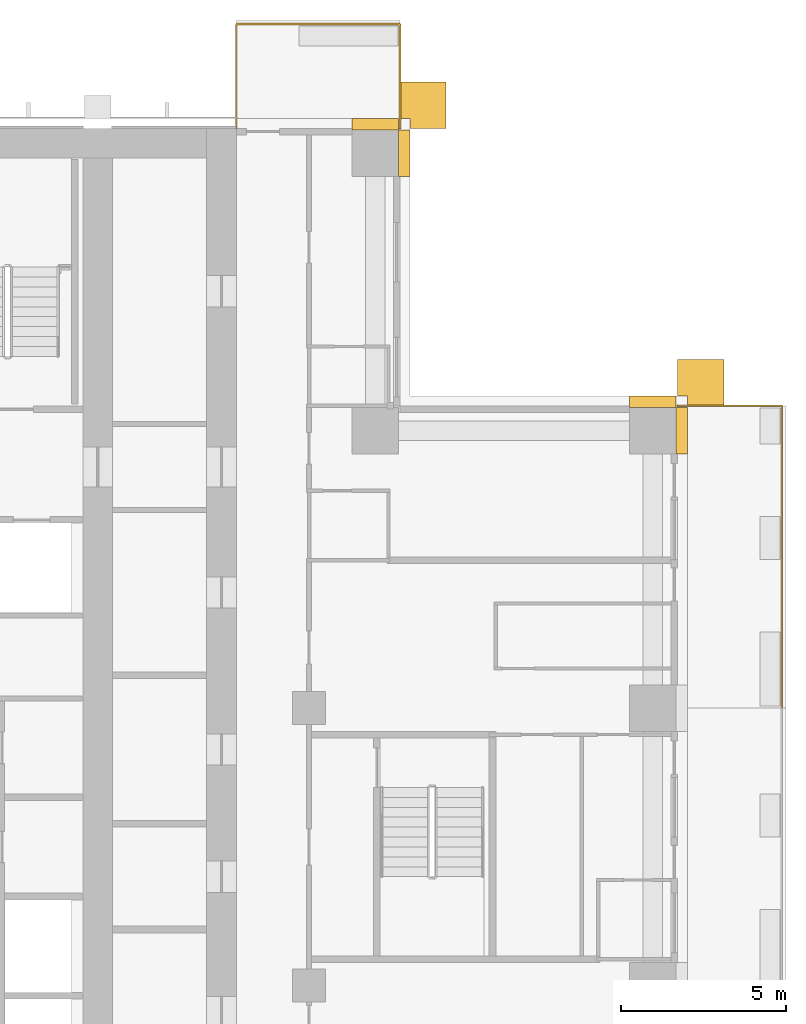
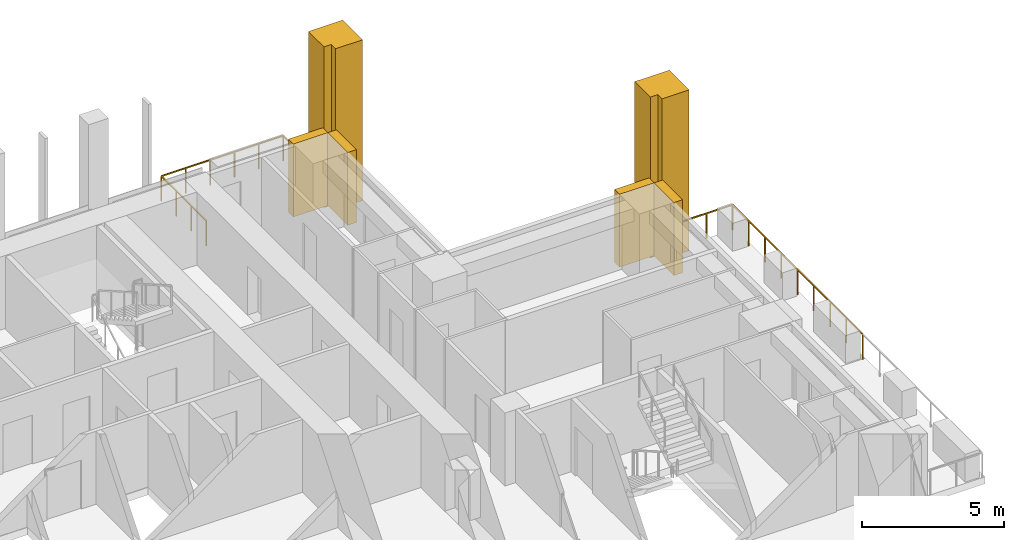
# One storey, part 18 of 18: 6 coverings, 2 railings.
"""IFC4 building model written with IfcOpenShell, lengths in metres."""

from ifc_helpers import new_model, si_unit, direction, frame, origin, origin_2d, place, context, subcontext, project, spatial, polyline, rectangle, outline, extrude, material, type_object, element, save


model = new_model("IFC4")

# Units and contexts
model_context = context("Model", 3, precision=1e-05, world=origin(), true_north=direction((0.0, 1.0)))
body_context = subcontext(model_context, "Body", "Model", "MODEL_VIEW")
ifc_project = project(units=[si_unit("LENGTHUNIT", "METRE"), si_unit("AREAUNIT", "SQUARE_METRE"), si_unit("VOLUMEUNIT", "CUBIC_METRE"), si_unit("PLANEANGLEUNIT", "RADIAN"), si_unit("MASSUNIT", "GRAM", prefix="KILO")], contexts=[model_context])

# Site, building, storey
site_placement = place(None, origin())
site = spatial("IfcSite", under=ifc_project, at=site_placement, CompositionType="ELEMENT")
building_placement = place(site_placement, origin())
building = spatial("IfcBuilding", under=site, at=building_placement, Name="Vermilion Ogive Tower", CompositionType="ELEMENT")
storey_placement = place(building_placement, frame((0.0, 0.0, 55.199951171875)))
storey = spatial("IfcBuildingStorey", under=building, at=storey_placement, Name="L12", CompositionType="ELEMENT", Elevation=55.199951171875)

# Railings
ifc_material_1 = material(Name="Stainless steel and glass", Category="steel")
railing_type = type_object("IfcRailingType", Name="Balcony guard", PredefinedType="GUARDRAIL", material=ifc_material_1)
railing_1_placement = place(storey_placement, frame((29.110107421875, 4.199951171875, -0.0400390625)))
element("IfcRailing", 1, at=railing_1_placement, inside=storey, type_object=railing_type, Name="Guard E03", PredefinedType="GUARDRAIL", context=body_context, shape_type="SweptSolid", body=[
    extrude(rectangle(XDim=0.048095703125, YDim=0.048095703125, at=origin_2d()), frame((0.0, 0.0, 1.076171875), z_axis=(0.0, 1.0, 0.0), x_axis=(-1.0, 0.0, 0.0)), (0.0, 0.0, 1.0), 9.150146484375),
    extrude(rectangle(XDim=0.048095703125, YDim=0.048095703125, at=origin_2d()), frame((0.0, 9.150146484375, 1.076171875), z_axis=(-1.0, 0.0, 0.0), x_axis=(0.0, -1.0, 0.0)), (0.0, 0.0, 1.0), 3.16015625),
    extrude(rectangle(XDim=0.0419921875, YDim=0.0419921875, at=origin_2d()), origin(), (0.0, 0.0, 1.0), 1.052001953125),
    extrude(rectangle(XDim=0.0419921875, YDim=0.0419921875, at=origin_2d()), frame((0.0, 1.143798828125, 0.0)), (0.0, 0.0, 1.0), 1.052001953125),
    extrude(rectangle(XDim=0.0419921875, YDim=0.0419921875, at=origin_2d()), frame((0.0, 2.28759765625, 0.0)), (0.0, 0.0, 1.0), 1.052001953125),
    extrude(rectangle(XDim=0.0419921875, YDim=0.0419921875, at=origin_2d()), frame((0.0, 3.431396484375, 0.0)), (0.0, 0.0, 1.0), 1.052001953125),
    extrude(rectangle(XDim=0.0419921875, YDim=0.0419921875, at=origin_2d()), frame((0.0, 4.5751953125, 0.0)), (0.0, 0.0, 1.0), 1.052001953125),
    extrude(rectangle(XDim=0.0419921875, YDim=0.0419921875, at=origin_2d()), frame((0.0, 5.71875, 0.0)), (0.0, 0.0, 1.0), 1.052001953125),
    extrude(rectangle(XDim=0.0419921875, YDim=0.0419921875, at=origin_2d()), frame((0.0, 6.862548828125, 0.0)), (0.0, 0.0, 1.0), 1.052001953125),
    extrude(rectangle(XDim=0.0419921875, YDim=0.0419921875, at=origin_2d()), frame((0.0, 8.00634765625, 0.0)), (0.0, 0.0, 1.0), 1.052001953125),
    extrude(rectangle(XDim=0.0419921875, YDim=0.0419921875, at=origin_2d()), frame((0.0, 9.150146484375, 0.0)), (0.0, 0.0, 1.0), 1.052001953125),
    extrude(rectangle(XDim=0.0419921875, YDim=0.0419921875, at=origin_2d()), frame((-1.053466796875, 9.150146484375, 0.0)), (0.0, 0.0, 1.0), 1.052001953125),
    extrude(rectangle(XDim=0.0419921875, YDim=0.0419921875, at=origin_2d()), frame((-2.106689453125, 9.150146484375, 0.0)), (0.0, 0.0, 1.0), 1.052001953125),
    extrude(rectangle(XDim=0.0419921875, YDim=0.0419921875, at=origin_2d()), frame((-3.16015625, 9.150146484375, 0.0)), (0.0, 0.0, 1.0), 1.052001953125),
])
railing_2_placement = place(storey_placement, frame((17.550048828125, 21.75, -0.0400390625)))
element("IfcRailing", 2, at=railing_2_placement, inside=storey, type_object=railing_type, Name="Guard N101", PredefinedType="GUARDRAIL", context=body_context, shape_type="SweptSolid", body=[
    extrude(rectangle(XDim=0.048095703125, YDim=0.048095703125, at=origin_2d()), frame((0.0, 0.0, 1.076171875), z_axis=(0.0, 1.0, 0.0), x_axis=(-1.0, 0.0, 0.0)), (0.0, 0.0, 1.0), 3.159912109375),
    extrude(rectangle(XDim=0.048095703125, YDim=0.048095703125, at=origin_2d()), frame((0.0, 3.159912109375, 1.076171875), z_axis=(-1.0, 0.0, 0.0), x_axis=(0.0, -1.0, 0.0)), (0.0, 0.0, 1.0), 4.949951171875),
    extrude(rectangle(XDim=0.048095703125, YDim=0.048095703125, at=origin_2d()), frame((-4.949951171875, 3.159912109375, 1.076171875), z_axis=(0.0, -1.0, 0.0), x_axis=(1.0, 0.0, 0.0)), (0.0, 0.0, 1.0), 3.159912109375),
    extrude(rectangle(XDim=0.0419921875, YDim=0.0419921875, at=origin_2d()), origin(), (0.0, 0.0, 1.0), 1.052001953125),
    extrude(rectangle(XDim=0.0419921875, YDim=0.0419921875, at=origin_2d()), frame((0.0, 1.05322265625, 0.0)), (0.0, 0.0, 1.0), 1.052001953125),
    extrude(rectangle(XDim=0.0419921875, YDim=0.0419921875, at=origin_2d()), frame((0.0, 2.106689453125, 0.0)), (0.0, 0.0, 1.0), 1.052001953125),
    extrude(rectangle(XDim=0.0419921875, YDim=0.0419921875, at=origin_2d()), frame((0.0, 3.159912109375, 0.0)), (0.0, 0.0, 1.0), 1.052001953125),
    extrude(rectangle(XDim=0.0419921875, YDim=0.0419921875, at=origin_2d()), frame((-0.989990234375, 3.159912109375, 0.0)), (0.0, 0.0, 1.0), 1.052001953125),
    extrude(rectangle(XDim=0.0419921875, YDim=0.0419921875, at=origin_2d()), frame((-1.97998046875, 3.159912109375, 0.0)), (0.0, 0.0, 1.0), 1.052001953125),
    extrude(rectangle(XDim=0.0419921875, YDim=0.0419921875, at=origin_2d()), frame((-2.969970703125, 3.159912109375, 0.0)), (0.0, 0.0, 1.0), 1.052001953125),
    extrude(rectangle(XDim=0.0419921875, YDim=0.0419921875, at=origin_2d()), frame((-3.9599609375, 3.159912109375, 0.0)), (0.0, 0.0, 1.0), 1.052001953125),
    extrude(rectangle(XDim=0.0419921875, YDim=0.0419921875, at=origin_2d()), frame((-4.949951171875, 3.159912109375, 0.0)), (0.0, 0.0, 1.0), 1.052001953125),
    extrude(rectangle(XDim=0.0419921875, YDim=0.0419921875, at=origin_2d()), frame((-4.949951171875, 2.106689453125, 0.0)), (0.0, 0.0, 1.0), 1.052001953125),
    extrude(rectangle(XDim=0.0419921875, YDim=0.0419921875, at=origin_2d()), frame((-4.949951171875, 1.05322265625, 0.0)), (0.0, 0.0, 1.0), 1.052001953125),
    extrude(rectangle(XDim=0.0419921875, YDim=0.0419921875, at=origin_2d()), frame((-4.949951171875, 0.0, 0.0)), (0.0, 0.0, 1.0), 1.052001953125),
])

# Coverings
ifc_material_2 = material(Name="Stone cladding", Category="masonry")
covering_type_1 = type_object("IfcCoveringType", Name="Stone corner buttress", PredefinedType="CLADDING", material=ifc_material_2)
covering_1_placement = place(storey_placement, frame((0.0, 0.0, -0.320068359375)))
element("IfcCovering", 3, at=covering_1_placement, inside=storey, type_object=covering_type_1, Name="Stone corner buttress X31", PredefinedType="CLADDING", context=body_context, shape_type="SweptSolid", body=[
    extrude(outline(polyline([(27.35009765625, 13.35009765625), (26.25, 13.35009765625), (26.25, 13.64990234375), (25.949951171875, 13.64990234375), (25.949951171875, 14.75), (27.35009765625, 14.75), (27.35009765625, 13.35009765625)])), origin(), (0.0, 0.0, 1.0), 6.900146484375),
])
covering_2_placement = place(storey_placement, frame((0.0, 0.0, -0.320068359375)))
element("IfcCovering", 4, at=covering_2_placement, inside=storey, type_object=covering_type_1, Name="Stone corner buttress N11", PredefinedType="CLADDING", context=body_context, shape_type="SweptSolid", body=[
    extrude(outline(polyline([(17.85009765625, 22.050048828125), (17.550048828125, 22.050048828125), (17.550048828125, 23.14990234375), (18.949951171875, 23.14990234375), (18.949951171875, 21.75), (17.85009765625, 21.75), (17.85009765625, 22.050048828125)])), origin(), (0.0, 0.0, 1.0), 6.900146484375),
])
ifc_material_3 = material(Name="Stone cladding", Category="masonry")
covering_type_2 = type_object("IfcCoveringType", Name="Stone pier", PredefinedType="CLADDING", material=ifc_material_3)
covering_3_placement = place(storey_placement, origin())
element("IfcCovering", 5, at=covering_3_placement, inside=storey, type_object=covering_type_2, Name="Stone pier P+0168+210X4", PredefinedType="CLADDING", context=body_context, shape_type="SweptSolid", body=[
    extrude(outline(polyline([(17.85009765625, 21.699951171875), (17.85009765625, 20.300048828125), (17.5, 20.300048828125), (17.5, 21.699951171875), (17.85009765625, 21.699951171875)])), origin(), (0.0, 0.0, 1.0), 3.130126953125),
])
covering_4_placement = place(storey_placement, origin())
element("IfcCovering", 6, at=covering_4_placement, inside=storey, type_object=covering_type_2, Name="Stone pier P+0168+210N1", PredefinedType="CLADDING", context=body_context, shape_type="SweptSolid", body=[
    extrude(outline(polyline([(17.5, 22.050048828125), (17.5, 21.699951171875), (16.10009765625, 21.699951171875), (16.10009765625, 22.050048828125), (17.5, 22.050048828125)])), origin(), (0.0, 0.0, 1.0), 3.130126953125),
])
covering_5_placement = place(storey_placement, origin())
element("IfcCovering", 7, at=covering_5_placement, inside=storey, type_object=covering_type_2, Name="Stone pier P+0252+126E", PredefinedType="CLADDING", context=body_context, shape_type="SweptSolid", body=[
    extrude(outline(polyline([(26.25, 13.300048828125), (26.25, 11.89990234375), (25.89990234375, 11.89990234375), (25.89990234375, 13.300048828125), (26.25, 13.300048828125)])), origin(), (0.0, 0.0, 1.0), 3.130126953125),
])
covering_6_placement = place(storey_placement, origin())
element("IfcCovering", 8, at=covering_6_placement, inside=storey, type_object=covering_type_2, Name="Stone pier P+0252+126X3", PredefinedType="CLADDING", context=body_context, shape_type="SweptSolid", body=[
    extrude(outline(polyline([(25.89990234375, 13.64990234375), (25.89990234375, 13.300048828125), (24.5, 13.300048828125), (24.5, 13.64990234375), (25.89990234375, 13.64990234375)])), origin(), (0.0, 0.0, 1.0), 3.130126953125),
])

save(model, "model.ifc")
